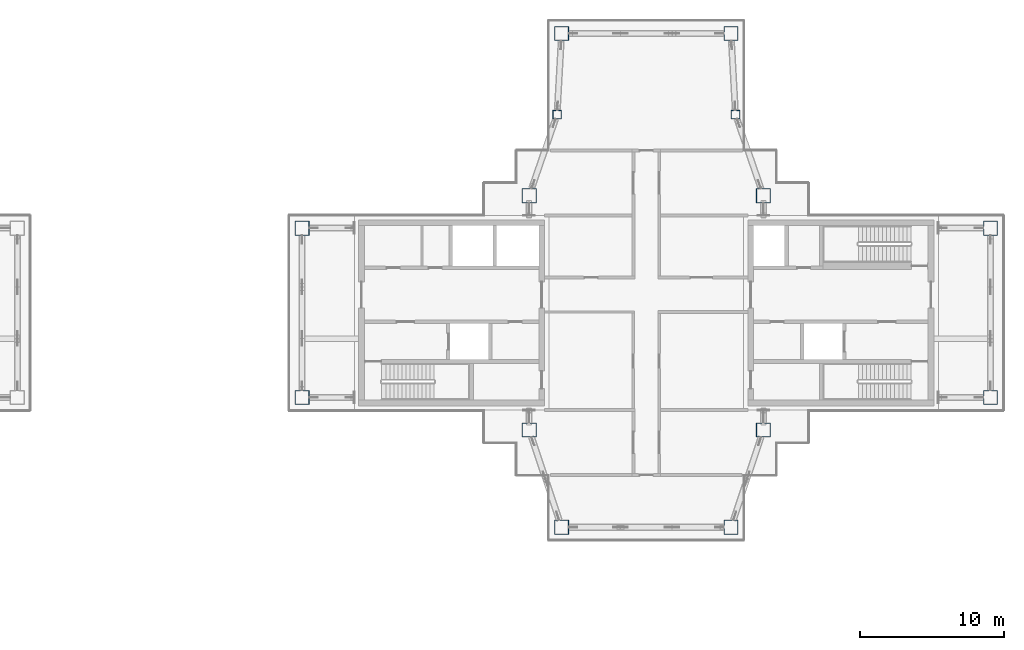
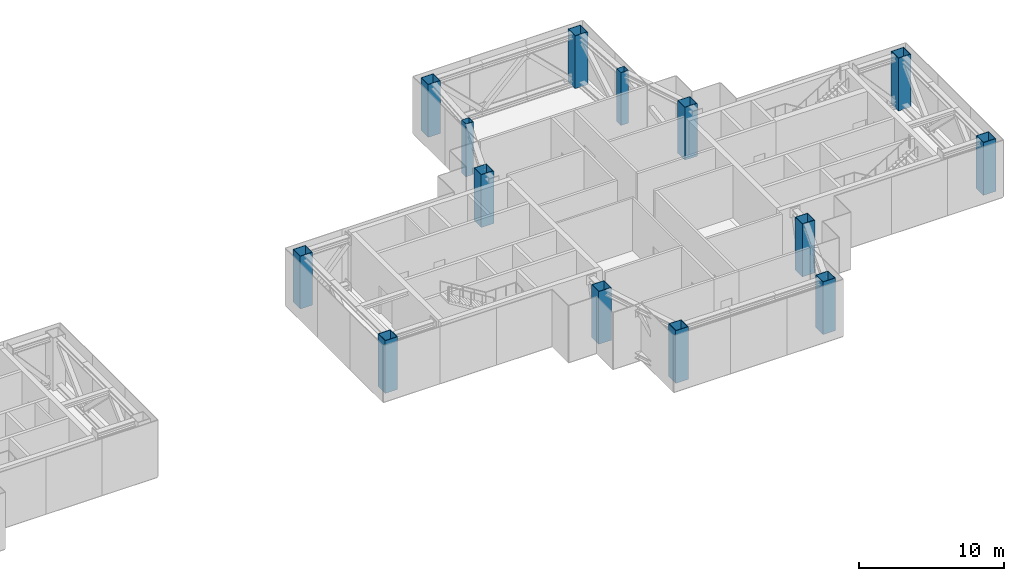
# One storey, part 2 of 18: 14 columns.
"""IFC4 building model written with IfcOpenShell, lengths in metres."""

from ifc_helpers import new_model, si_unit, direction, frame, origin, origin_2d, place, context, subcontext, project, spatial, hollow_rectangle, extrude, material, material_profile, profile_set, type_object, element, save


model = new_model("IFC4")

# Units and contexts
model_context = context("Model", 3, precision=1e-05, world=origin(), true_north=direction((0.0, 1.0)))
body_context = subcontext(model_context, "Body", "Model", "MODEL_VIEW")
ifc_project = project(units=[si_unit("LENGTHUNIT", "METRE"), si_unit("AREAUNIT", "SQUARE_METRE"), si_unit("VOLUMEUNIT", "CUBIC_METRE"), si_unit("PLANEANGLEUNIT", "RADIAN"), si_unit("MASSUNIT", "GRAM", prefix="KILO")], contexts=[model_context])

# Site, building, storey
site_placement = place(None, origin())
site = spatial("IfcSite", under=ifc_project, at=site_placement, CompositionType="ELEMENT")
building_placement = place(site_placement, origin())
building = spatial("IfcBuilding", under=site, at=building_placement, Name="Shamsa Quay Exchange Towers", CompositionType="ELEMENT")
storey_placement = place(building_placement, frame((0.0, 0.0, 225.60009765625)))
storey = spatial("IfcBuildingStorey", under=building, at=storey_placement, Name="L54", CompositionType="ELEMENT", Elevation=225.60009765625)

# Columns
ifc_material_1 = material(Name="Concrete-filled steel tube S355 / C80/95", Category="concrete")
ifc_material_profile_1 = material_profile(ifc_material_1, hollow_rectangle(XDim=1.0, YDim=1.0, WallThickness=0.0400390625, at=origin_2d()), Name="CFT 1000x1000x40")
ifc_profile_set_1 = profile_set([ifc_material_profile_1], Name="Concrete-filled steel tube S355 / C80/95")
column_type_1 = type_object("IfcColumnType", Name="Column CFT 1000x1000x40", PredefinedType="COLUMN", material=ifc_profile_set_1)
for number, where, name in (
    (1, (25.625, 8.125, 0.0), "Mega column T2-CM01"),
    (2, (41.875, 8.125, 0.0), "Mega column T2-CM02"),
    (3, (25.625, -8.125, 0.0), "Mega column T2-CM03"),
    (4, (41.875, -8.125, 0.0), "Mega column T2-CM04"),
    (5, (39.625, 19.375, 0.0), "Mega column T2-CM06"),
    (6, (27.875, 19.375, 0.0), "Mega column T2-CM10"),
    (7, (39.625, -14.875, 0.0), "Mega column T2-CM13"),
    (8, (27.875, -14.875, 0.0), "Mega column T2-CM16"),
    (9, (9.875, -5.875, 0.0), "Mega column T2-CM19"),
    (10, (9.875, 5.875, 0.0), "Mega column T2-CM20"),
    (11, (57.625, -5.875, 0.0), "Mega column T2-CM21"),
    (12, (57.625, 5.875, 0.0), "Mega column T2-CM23"),
):
    element("IfcColumn", number, at=place(storey_placement, frame(where)), inside=storey, type_object=column_type_1, Name=name, PredefinedType="COLUMN", context=body_context, shape_type="SweptSolid", body=[
        extrude(hollow_rectangle(XDim=1.0, YDim=1.0, WallThickness=0.0400390625, at=origin_2d()), origin(), (0.0, 0.0, 1.0), 4.449951171875),
    ])
ifc_material_2 = material(Name="Concrete-filled steel tube S355 / C60/75", Category="concrete")
ifc_material_profile_2 = material_profile(ifc_material_2, hollow_rectangle(XDim=0.60009765625, YDim=0.60009765625, WallThickness=0.02001953125, at=origin_2d()), Name="CFT 600x600x20")
ifc_profile_set_2 = profile_set([ifc_material_profile_2], Name="Concrete-filled steel tube S355 / C60/75")
column_type_2 = type_object("IfcColumnType", Name="Column CFT 600x600x20", PredefinedType="COLUMN", material=ifc_profile_set_2)
for number, where, name in (
    (13, (39.9375, 13.75, 0.0), "Perimeter column T2-CP05"),
    (14, (27.5625, 13.75, 0.0), "Perimeter column T2-CP09"),
):
    element("IfcColumn", number, at=place(storey_placement, frame(where)), inside=storey, type_object=column_type_2, Name=name, PredefinedType="COLUMN", context=body_context, shape_type="SweptSolid", body=[
        extrude(hollow_rectangle(XDim=0.60009765625, YDim=0.60009765625, WallThickness=0.02001953125, at=origin_2d()), origin(), (0.0, 0.0, 1.0), 4.449951171875),
    ])

save(model, "model.ifc")
